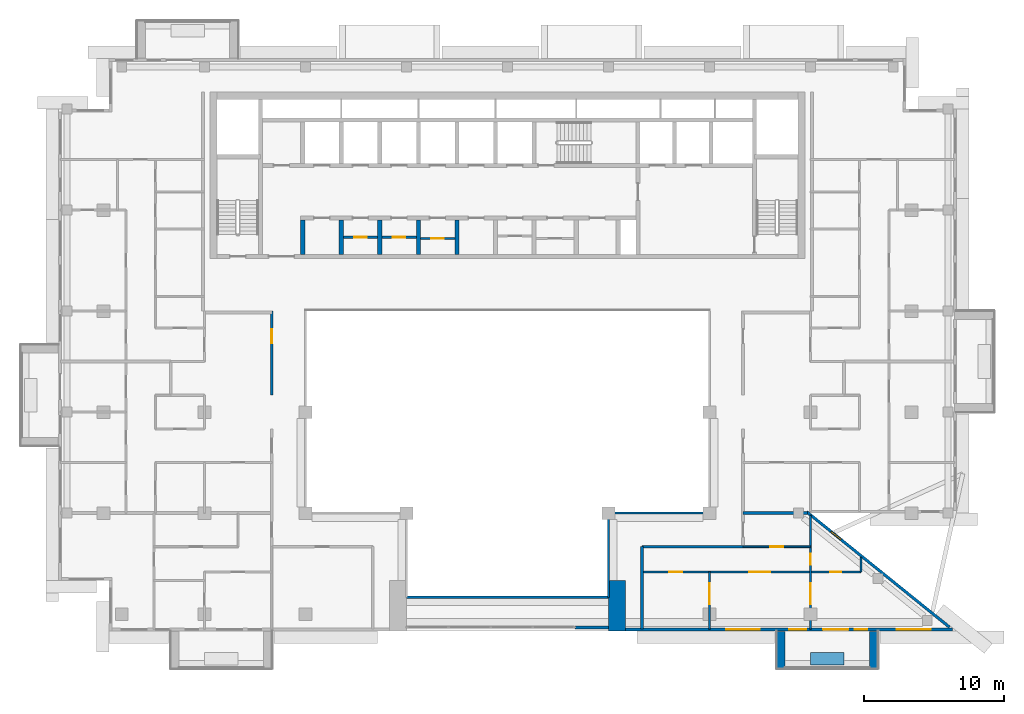
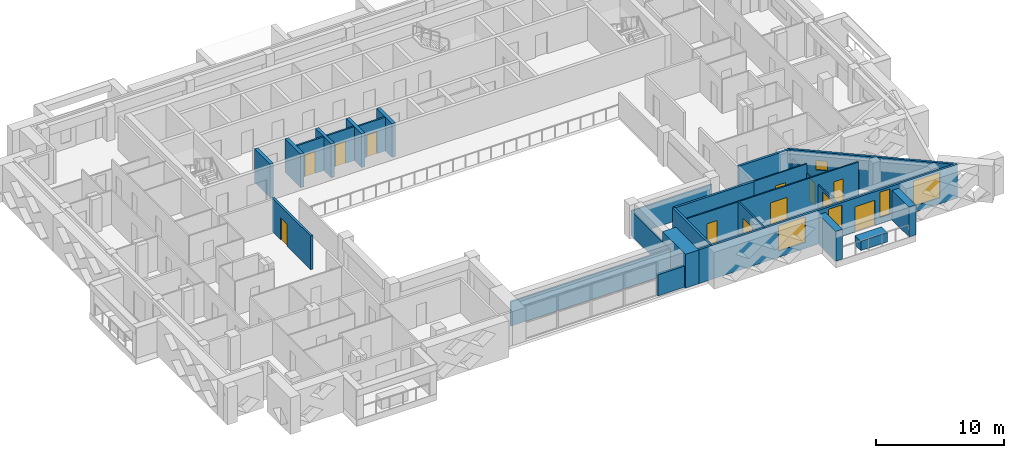
# One storey, part 8 of 19: 27 walls, 12 doors, 5 windows, 17 openings.
"""IFC4 building model written with IfcOpenShell, lengths in metres."""

from ifc_helpers import new_model, si_unit, direction, frame, frame_2d, origin, place, context, subcontext, project, spatial, rectangle, extrude, material, layer, layer_set, type_object, element, fill, save


model = new_model("IFC4")

# Units and contexts
model_context = context("Model", 3, precision=1e-05, world=origin(), true_north=direction((0.0, 1.0)))
body_context = subcontext(model_context, "Body", "Model", "MODEL_VIEW")
ifc_project = project(units=[si_unit("LENGTHUNIT", "METRE"), si_unit("AREAUNIT", "SQUARE_METRE"), si_unit("VOLUMEUNIT", "CUBIC_METRE"), si_unit("PLANEANGLEUNIT", "RADIAN"), si_unit("MASSUNIT", "GRAM", prefix="KILO")], contexts=[model_context])

# Site, building, storey
site_placement = place(None, origin())
site = spatial("IfcSite", under=ifc_project, at=site_placement, CompositionType="ELEMENT")
building_placement = place(site_placement, origin())
building = spatial("IfcBuilding", under=site, at=building_placement, Name="Saffron Iwan Residences", CompositionType="ELEMENT")
storey_placement = place(building_placement, frame((0.0, 0.0, 218.5)))
storey = spatial("IfcBuildingStorey", under=building, at=storey_placement, Name="L58", CompositionType="ELEMENT", Elevation=218.5)

# Walls
ifc_material_1 = material(Name="Fire-rated glazing", Category="glass")
ifc_layer_1 = layer(ifc_material_1, 0.14990234375)
ifc_layer_set_1 = layer_set([ifc_layer_1], Name="Fire-rated glazing")
wall_type_1 = type_object("IfcWallType", Name="Atrium glazed screen 150", PredefinedType="SOLIDWALL", material=ifc_layer_set_1)
wall_1_placement = place(storey_placement, frame((43.199951171875, 42.0, 0.0), z_axis=(0.0, 0.0, 1.0), x_axis=(1.0, 0.0, 0.0)))
element("IfcWall", 1, at=wall_1_placement, inside=storey, type_object=wall_type_1, Name="W-L58-SCREEN-h42-43.2", PredefinedType="SOLIDWALL", context=body_context, shape_type="SweptSolid", body=[
    extrude(rectangle(XDim=14.400146484375, YDim=0.14990234375, at=frame_2d((7.2001953125, 0.0))), origin(), (0.0, 0.0, 1.0), 2.320068359375),
])
wall_2_placement = place(storey_placement, frame((57.60009765625, 48.0, 0.0), z_axis=(0.0, 0.0, 1.0), x_axis=(1.0, 0.0, 0.0)))
element("IfcWall", 2, at=wall_2_placement, inside=storey, type_object=wall_type_1, Name="W-L58-SCREEN-h48-57.6", PredefinedType="SOLIDWALL", context=body_context, shape_type="SweptSolid", body=[
    extrude(rectangle(XDim=7.199951171875, YDim=0.14990234375, at=frame_2d((3.60009765625, 0.0))), origin(), (0.0, 0.0, 1.0), 2.320068359375),
])
wall_3_placement = place(storey_placement, frame((57.60009765625, 42.0, 0.0), z_axis=(0.0, 0.0, 1.0), x_axis=(0.0, 1.0, 0.0)))
element("IfcWall", 3, at=wall_3_placement, inside=storey, type_object=wall_type_1, Name="W-L58-SCREEN-v57.6-42", PredefinedType="SOLIDWALL", context=body_context, shape_type="SweptSolid", body=[
    extrude(rectangle(XDim=6.0, YDim=0.14990234375, at=frame_2d((3.0, 0.0))), origin(), (0.0, 0.0, 1.0), 2.320068359375),
])
ifc_material_2 = material(Name="Concrete C50/60 white painted", Category="concrete")
ifc_layer_2 = layer(ifc_material_2, 0.60009765625)
ifc_layer_set_2 = layer_set([ifc_layer_2], Name="Concrete C50/60 white painted")
wall_type_2 = type_object("IfcWallType", Name="BALCONY FIN 600", PredefinedType="SOLIDWALL", material=ifc_layer_set_2)
for number, where, z_axis, x_axis, name in (
    (4, (69.89990234375, 39.550048828125, 0.0), (0.0, 0.0, 1.0), (0.0, -1.0, 0.0), "Balcony fin L58 11-1a"),
    (5, (76.5, 39.550048828125, 0.0), (0.0, 0.0, 1.0), (0.0, -1.0, 0.0), "Balcony fin L58 11-1b"),
):
    element("IfcWall", number, at=place(storey_placement, frame(where, z_axis=z_axis, x_axis=x_axis)), inside=storey, type_object=wall_type_2, Name=name, PredefinedType="SOLIDWALL", context=body_context, shape_type="SweptSolid", body=[
        extrude(rectangle(XDim=2.650146484375, YDim=0.60009765625, at=frame_2d((1.3251953125, 0.0))), origin(), (0.0, 0.0, 1.0), 2.85009765625),
    ])
ifc_material_3 = material(Name="Concrete C35/45 white painted", Category="concrete")
ifc_layer_3 = layer(ifc_material_3, 0.14990234375)
ifc_layer_set_3 = layer_set([ifc_layer_3], Name="Concrete C35/45 white painted")
wall_type_3 = type_object("IfcWallType", Name="BALCONY PLANTER", PredefinedType="SOLIDWALL", material=ifc_layer_set_3)
wall_4_placement = place(storey_placement, frame((72.0, 37.625, 0.0), z_axis=(0.0, 0.0, 1.0), x_axis=(1.0, 0.0, 0.0)))
element("IfcWall", 6, at=wall_4_placement, inside=storey, type_object=wall_type_3, Name="PLANTER L58 11-1", PredefinedType="SOLIDWALL", context=body_context, shape_type="SweptSolid", body=[
    extrude(rectangle(XDim=2.39990234375, YDim=0.89990234375, at=frame_2d((1.199951171875, 0.0))), origin(), (0.0, 0.0, 1.0), 0.89990234375),
])

# Wall, opening, door
ifc_material_4 = material(Name="Fire-rated plasterboard partition")
ifc_layer_4 = layer(ifc_material_4, 0.14990234375)
ifc_layer_set_4 = layer_set([ifc_layer_4], Name="Fire-rated plasterboard partition")
wall_type_4 = type_object("IfcWallType", Name="Core partition 150", PredefinedType="PARTITIONING", material=ifc_layer_set_4)
wall_5_placement = place(storey_placement, frame((38.699951171875, 67.66259765625, 0.0), z_axis=(0.0, 0.0, 1.0), x_axis=(1.0, 0.0, 0.0)))
wall_5 = element("IfcWall", 7, at=wall_5_placement, inside=storey, type_object=wall_type_4, Name="Core partition P01", PredefinedType="PARTITIONING", context=body_context, shape_type="SweptSolid", body=[
    extrude(rectangle(XDim=2.449951171875, YDim=0.14990234375, at=frame_2d((1.22509765625, 0.0))), origin(), (0.0, 0.0, 1.0), 3.219970703125),
])
opening_1_placement = place(wall_5_placement, frame((0.77490234375, 0.0, 0.0)))
opening_1 = element("IfcOpeningElement", 8, at=opening_1_placement, cuts=wall_5, Name="Opening SB", PredefinedType="OPENING", context=body_context, shape_type="SweptSolid", body=[
    extrude(rectangle(XDim=0.89990234375, YDim=2.10009765625, at=frame_2d((0.449951171875, 1.050048828125))), frame((0.0, 0.0849609375, 0.0), z_axis=(0.0, -1.0, 0.0), x_axis=(1.0, 0.0, 0.0)), (0.0, 0.0, 1.0), 0.169921875),
])
ifc_material_5 = material(Name="Steel fire door", Category="steel")
door_type_1 = type_object("IfcDoorType", Name="Store door 900", OperationType="NOTDEFINED", PredefinedType="DOOR", material=ifc_material_5)
door_1_placement = place(opening_1_placement, origin())
door_1 = element("IfcDoor", 9, at=door_1_placement, inside=storey, type_object=door_type_1, Name="Door Records store", OperationType="SINGLE_SWING_LEFT", OverallHeight=2.10009765625, OverallWidth=0.89990234375, PredefinedType="DOOR", context=body_context, shape_type="SweptSolid", body=[
    extrude(rectangle(XDim=0.89990234375, YDim=2.10009765625, at=frame_2d((0.449951171875, 1.050048828125))), frame((0.0, 0.02490234375, 0.0), z_axis=(0.0, -1.0, 0.0), x_axis=(1.0, 0.0, 0.0)), (0.0, 0.0, 1.0), 0.050048828125),
])
fill(opening_1, door_1)

wall_6_placement = place(storey_placement, frame((41.449951171875, 67.66259765625, 0.0), z_axis=(0.0, 0.0, 1.0), x_axis=(1.0, 0.0, 0.0)))
wall_6 = element("IfcWall", 10, at=wall_6_placement, inside=storey, type_object=wall_type_4, Name="Core partition P02", PredefinedType="PARTITIONING", context=body_context, shape_type="SweptSolid", body=[
    extrude(rectangle(XDim=2.449951171875, YDim=0.14990234375, at=frame_2d((1.22509765625, 0.0))), origin(), (0.0, 0.0, 1.0), 3.219970703125),
])
opening_2_placement = place(wall_6_placement, frame((0.77490234375, 0.0, 0.0)))
opening_2 = element("IfcOpeningElement", 11, at=opening_2_placement, cuts=wall_6, Name="Opening SB", PredefinedType="OPENING", context=body_context, shape_type="SweptSolid", body=[
    extrude(rectangle(XDim=0.89990234375, YDim=2.10009765625, at=frame_2d((0.449951171875, 1.050048828125))), frame((0.0, 0.0849609375, 0.0), z_axis=(0.0, -1.0, 0.0), x_axis=(1.0, 0.0, 0.0)), (0.0, 0.0, 1.0), 0.169921875),
])
door_2_placement = place(opening_2_placement, origin())
door_2 = element("IfcDoor", 12, at=door_2_placement, inside=storey, type_object=door_type_1, Name="Door Stationery store", OperationType="SINGLE_SWING_RIGHT", OverallHeight=2.10009765625, OverallWidth=0.89990234375, PredefinedType="DOOR", context=body_context, shape_type="SweptSolid", body=[
    extrude(rectangle(XDim=0.89990234375, YDim=2.10009765625, at=frame_2d((0.449951171875, 1.050048828125))), frame((0.0, 0.02490234375, 0.0), z_axis=(0.0, -1.0, 0.0), x_axis=(1.0, 0.0, 0.0)), (0.0, 0.0, 1.0), 0.050048828125),
])
fill(opening_2, door_2)

wall_7_placement = place(storey_placement, frame((44.199951171875, 67.5654296875, 0.0), z_axis=(0.0, 0.0, 1.0), x_axis=(1.0, 0.0, 0.0)))
wall_7 = element("IfcWall", 13, at=wall_7_placement, inside=storey, type_object=wall_type_4, Name="Core partition P03", PredefinedType="PARTITIONING", context=body_context, shape_type="SweptSolid", body=[
    extrude(rectangle(XDim=2.449951171875, YDim=0.14990234375, at=frame_2d((1.22509765625, 0.0))), origin(), (0.0, 0.0, 1.0), 3.219970703125),
])
opening_3_placement = place(wall_7_placement, frame((0.77490234375, 0.0, 0.0)))
opening_3 = element("IfcOpeningElement", 14, at=opening_3_placement, cuts=wall_7, Name="Opening SB", PredefinedType="OPENING", context=body_context, shape_type="SweptSolid", body=[
    extrude(rectangle(XDim=0.89990234375, YDim=2.10009765625, at=frame_2d((0.449951171875, 1.050048828125))), frame((0.0, 0.0849609375, 0.0), z_axis=(0.0, -1.0, 0.0), x_axis=(1.0, 0.0, 0.0)), (0.0, 0.0, 1.0), 0.169921875),
])
door_3_placement = place(opening_3_placement, origin())
door_3 = element("IfcDoor", 15, at=door_3_placement, inside=storey, type_object=door_type_1, Name="Door Tool store", OperationType="SINGLE_SWING_LEFT", OverallHeight=2.10009765625, OverallWidth=0.89990234375, PredefinedType="DOOR", context=body_context, shape_type="SweptSolid", body=[
    extrude(rectangle(XDim=0.89990234375, YDim=2.10009765625, at=frame_2d((0.449951171875, 1.050048828125))), frame((0.0, 0.02490234375, 0.0), z_axis=(0.0, -1.0, 0.0), x_axis=(1.0, 0.0, 0.0)), (0.0, 0.0, 1.0), 0.050048828125),
])
fill(opening_3, door_3)

# Wall, opening, window
ifc_material_6 = material(Name="Concrete C40/50", Category="concrete")
ifc_layer_5 = layer(ifc_material_6, 0.199951171875)
ifc_layer_set_5 = layer_set([ifc_layer_5], Name="Concrete C40/50")
wall_type_5 = type_object("IfcWallType", Name="EXTERNAL WALL 200", PredefinedType="SOLIDWALL", material=ifc_layer_set_5)
wall_8_placement = place(storey_placement, frame((81.906982421875, 39.86962890625, 0.0), z_axis=(0.0, 0.0, 1.0), x_axis=(-0.777936274417, 0.62834318087, 0.0)))
wall_8 = element("IfcWall", 16, at=wall_8_placement, inside=storey, type_object=wall_type_5, Name="External wall L58 F0.0", PredefinedType="SOLIDWALL", context=body_context, shape_type="SweptSolid", body=[
    extrude(rectangle(XDim=13.0986328125, YDim=0.199951171875, at=frame_2d((6.54931640625, 0.0))), origin(), (0.0, 0.0, 1.0), 3.219970703125),
])
opening_4_placement = place(wall_8_placement, frame((9.9384765625, 0.0, 1.5)))
opening_4 = element("IfcOpeningElement", 17, at=opening_4_placement, cuts=wall_8, Name="Opening W6", PredefinedType="OPENING", context=body_context, shape_type="SweptSolid", body=[
    extrude(rectangle(XDim=0.89990234375, YDim=0.89990234375, at=frame_2d((0.449951171875, 0.449951171875))), frame((0.0, 0.10986328125, 0.0), z_axis=(0.0, -1.0, 0.0), x_axis=(1.0, 0.0, 0.0)), (0.0, 0.0, 1.0), 0.219970703125),
])
ifc_material_7 = material(Name="Clear glass, laminated double glazed", Category="glass")
window_type_1 = type_object("IfcWindowType", Name="WINDOW 900 x 900 BATH", PartitioningType="SINGLE_PANEL", PredefinedType="WINDOW", material=ifc_material_7)
window_1_placement = place(opening_4_placement, origin())
window_1 = element("IfcWindow", 18, at=window_1_placement, inside=storey, type_object=window_type_1, Name="Window L58 F0.0", OverallHeight=0.89990234375, OverallWidth=0.89990234375, PartitioningType="SINGLE_PANEL", PredefinedType="WINDOW", context=body_context, shape_type="SweptSolid", body=[
    extrude(rectangle(XDim=0.89990234375, YDim=0.89990234375, at=frame_2d((0.449951171875, 0.449951171875))), frame((0.0, 0.030029296875, 0.0), z_axis=(0.0, -1.0, 0.0), x_axis=(1.0, 0.0, 0.0)), (0.0, 0.0, 1.0), 0.06005859375),
])
fill(opening_4, window_1)

# Wall, openings, door, windows
wall_9_placement = place(storey_placement, frame((58.800048828125, 39.699951171875, 0.0), z_axis=(0.0, 0.0, 1.0), x_axis=(1.0, 0.0, 0.0)))
wall_9 = element("IfcWall", 19, at=wall_9_placement, inside=storey, type_object=wall_type_5, Name="External wall L58 F11.1", PredefinedType="SOLIDWALL", context=body_context, shape_type="SweptSolid", body=[
    extrude(rectangle(XDim=23.31689453125, YDim=0.199951171875, at=frame_2d((11.658447265625, 0.0))), origin(), (0.0, 0.0, 1.0), 3.219970703125),
])
opening_5_placement = place(wall_9_placement, frame((14.10009765625, 0.0, 0.0)))
opening_5 = element("IfcOpeningElement", 20, at=opening_5_placement, cuts=wall_9, Name="Opening BD1", PredefinedType="OPENING", context=body_context, shape_type="SweptSolid", body=[
    extrude(rectangle(XDim=1.800048828125, YDim=2.39990234375, at=frame_2d((0.89990234375, 1.199951171875))), frame((0.0, 0.10986328125, 0.0), z_axis=(0.0, -1.0, 0.0), x_axis=(1.0, 0.0, 0.0)), (0.0, 0.0, 1.0), 0.219970703125),
])
opening_6_placement = place(wall_9_placement, frame((7.199951171875, 0.0, 0.60009765625)))
opening_6 = element("IfcOpeningElement", 21, at=opening_6_placement, cuts=wall_9, Name="Opening W1", PredefinedType="OPENING", context=body_context, shape_type="SweptSolid", body=[
    extrude(rectangle(XDim=2.39990234375, YDim=2.39990234375, at=frame_2d((1.199951171875, 1.199951171875))), frame((0.0, 0.10986328125, 0.0), z_axis=(0.0, -1.0, 0.0), x_axis=(1.0, 0.0, 0.0)), (0.0, 0.0, 1.0), 0.219970703125),
])
opening_7_placement = place(wall_9_placement, frame((11.699951171875, 0.0, 0.60009765625)))
opening_7 = element("IfcOpeningElement", 22, at=opening_7_placement, cuts=wall_9, Name="Opening W3", PredefinedType="OPENING", context=body_context, shape_type="SweptSolid", body=[
    extrude(rectangle(XDim=1.199951171875, YDim=2.39990234375, at=frame_2d((0.60009765625, 1.199951171875))), frame((0.0, 0.10986328125, 0.0), z_axis=(0.0, -1.0, 0.0), x_axis=(1.0, 0.0, 0.0)), (0.0, 0.0, 1.0), 0.219970703125),
])
opening_8_placement = place(wall_9_placement, frame((16.35009765625, 0.0, 0.60009765625)))
opening_8 = element("IfcOpeningElement", 23, at=opening_8_placement, cuts=wall_9, Name="Opening W10", PredefinedType="OPENING", context=body_context, shape_type="SweptSolid", body=[
    extrude(rectangle(XDim=0.89990234375, YDim=2.39990234375, at=frame_2d((0.449951171875, 1.199951171875))), frame((0.0, 0.10986328125, 0.0), z_axis=(0.0, -1.0, 0.0), x_axis=(1.0, 0.0, 0.0)), (0.0, 0.0, 1.0), 0.219970703125),
])
opening_9_placement = place(wall_9_placement, frame((19.3583984375, 0.0, 0.60009765625)))
opening_9 = element("IfcOpeningElement", 24, at=opening_9_placement, cuts=wall_9, Name="Opening W1", PredefinedType="OPENING", context=body_context, shape_type="SweptSolid", body=[
    extrude(rectangle(XDim=2.39990234375, YDim=2.39990234375, at=frame_2d((1.199951171875, 1.199951171875))), frame((0.0, 0.10986328125, 0.0), z_axis=(0.0, -1.0, 0.0), x_axis=(1.0, 0.0, 0.0)), (0.0, 0.0, 1.0), 0.219970703125),
])
door_type_2 = type_object("IfcDoorType", Name="BALCONY DOOR 1800 x 2400", OperationType="DOUBLE_DOOR_SLIDING", PredefinedType="DOOR", material=ifc_material_7)
door_4_placement = place(opening_5_placement, origin())
door_4 = element("IfcDoor", 25, at=door_4_placement, inside=storey, type_object=door_type_2, Name="Balcony door L58 F11.0", OperationType="DOUBLE_DOOR_SLIDING", OverallHeight=2.39990234375, OverallWidth=1.800048828125, PredefinedType="DOOR", context=body_context, shape_type="SweptSolid", body=[
    extrude(rectangle(XDim=1.800048828125, YDim=2.39990234375, at=frame_2d((0.89990234375, 1.199951171875))), frame((0.0, 0.02490234375, 0.0), z_axis=(0.0, -1.0, 0.0), x_axis=(1.0, 0.0, 0.0)), (0.0, 0.0, 1.0), 0.050048828125),
])
fill(opening_5, door_4)
window_type_2 = type_object("IfcWindowType", Name="WINDOW 1200 x 2400", PartitioningType="SINGLE_PANEL", PredefinedType="WINDOW", material=ifc_material_7)
window_2_placement = place(opening_7_placement, origin())
window_2 = element("IfcWindow", 26, at=window_2_placement, inside=storey, type_object=window_type_2, Name="Window L58 F11.2", OverallHeight=2.39990234375, OverallWidth=1.199951171875, PartitioningType="SINGLE_PANEL", PredefinedType="WINDOW", context=body_context, shape_type="SweptSolid", body=[
    extrude(rectangle(XDim=1.199951171875, YDim=2.39990234375, at=frame_2d((0.60009765625, 1.199951171875))), frame((0.0, 0.030029296875, 0.0), z_axis=(0.0, -1.0, 0.0), x_axis=(1.0, 0.0, 0.0)), (0.0, 0.0, 1.0), 0.06005859375),
])
fill(opening_7, window_2)
window_type_3 = type_object("IfcWindowType", Name="WINDOW 2400 x 2400", PartitioningType="DOUBLE_PANEL_VERTICAL", PredefinedType="WINDOW", material=ifc_material_7)
window_3_placement = place(opening_6_placement, origin())
window_3 = element("IfcWindow", 27, at=window_3_placement, inside=storey, type_object=window_type_3, Name="Window L58 F11.1", OverallHeight=2.39990234375, OverallWidth=2.39990234375, PartitioningType="DOUBLE_PANEL_VERTICAL", PredefinedType="WINDOW", context=body_context, shape_type="SweptSolid", body=[
    extrude(rectangle(XDim=2.39990234375, YDim=2.39990234375, at=frame_2d((1.199951171875, 1.199951171875))), frame((0.0, 0.030029296875, 0.0), z_axis=(0.0, -1.0, 0.0), x_axis=(1.0, 0.0, 0.0)), (0.0, 0.0, 1.0), 0.06005859375),
])
fill(opening_6, window_3)
window_4_placement = place(opening_9_placement, origin())
window_4 = element("IfcWindow", 28, at=window_4_placement, inside=storey, type_object=window_type_3, Name="Window L58 F11.4", OverallHeight=2.39990234375, OverallWidth=2.39990234375, PartitioningType="DOUBLE_PANEL_VERTICAL", PredefinedType="WINDOW", context=body_context, shape_type="SweptSolid", body=[
    extrude(rectangle(XDim=2.39990234375, YDim=2.39990234375, at=frame_2d((1.199951171875, 1.199951171875))), frame((0.0, 0.030029296875, 0.0), z_axis=(0.0, -1.0, 0.0), x_axis=(1.0, 0.0, 0.0)), (0.0, 0.0, 1.0), 0.06005859375),
])
fill(opening_9, window_4)
window_type_4 = type_object("IfcWindowType", Name="WINDOW 900 x 2400", PartitioningType="SINGLE_PANEL", PredefinedType="WINDOW", material=ifc_material_7)
window_5_placement = place(opening_8_placement, origin())
window_5 = element("IfcWindow", 29, at=window_5_placement, inside=storey, type_object=window_type_4, Name="Window L58 F11.3", OverallHeight=2.39990234375, OverallWidth=0.89990234375, PartitioningType="SINGLE_PANEL", PredefinedType="WINDOW", context=body_context, shape_type="SweptSolid", body=[
    extrude(rectangle(XDim=0.89990234375, YDim=2.39990234375, at=frame_2d((0.449951171875, 1.199951171875))), frame((0.0, 0.030029296875, 0.0), z_axis=(0.0, -1.0, 0.0), x_axis=(1.0, 0.0, 0.0)), (0.0, 0.0, 1.0), 0.06005859375),
])
fill(opening_8, window_5)

# Walls
wall_10_placement = place(storey_placement, frame((55.199951171875, 39.85009765625, 0.0), z_axis=(0.0, 0.0, 1.0), x_axis=(1.0, 0.0, 0.0)))
element("IfcWall", 30, at=wall_10_placement, inside=storey, type_object=wall_type_5, Name="External wall infill CWB-L58-0", PredefinedType="SOLIDWALL", context=body_context, shape_type="SweptSolid", body=[
    extrude(rectangle(XDim=2.400146484375, YDim=0.199951171875, at=frame_2d((1.2001953125, 0.0))), origin(), (0.0, 0.0, 1.0), 2.02001953125),
])
ifc_material_8 = material(Name="Fire-rated gypsum board wall")
ifc_layer_6 = layer(ifc_material_8, 0.199951171875)
ifc_layer_set_6 = layer_set([ifc_layer_6], Name="Fire-rated gypsum board wall")
wall_type_6 = type_object("IfcWallType", Name="Flat demising wall 200", PredefinedType="SOLIDWALL", material=ifc_layer_set_6)
wall_11_placement = place(storey_placement, frame((67.199951171875, 48.0, 0.0), z_axis=(0.0, 0.0, 1.0), x_axis=(1.0, 0.0, 0.0)))
element("IfcWall", 31, at=wall_11_placement, inside=storey, type_object=wall_type_6, Name="W-L58-DEMISE-h48-67.2", PredefinedType="SOLIDWALL", context=body_context, shape_type="SweptSolid", body=[
    extrude(rectangle(XDim=4.60107421875, YDim=0.199951171875, at=frame_2d((2.300537109375, 0.0))), origin(), (0.0, 0.0, 1.0), 3.219970703125),
])

# Wall, openings, doors
ifc_material_9 = material(Name="Gypsum board partition")
ifc_layer_7 = layer(ifc_material_9, 0.1201171875)
ifc_layer_set_7 = layer_set([ifc_layer_7], Name="Gypsum board partition")
wall_type_7 = type_object("IfcWallType", Name="Flat partition 120", PredefinedType="PARTITIONING", material=ifc_layer_set_7)
wall_12_placement = place(storey_placement, frame((60.0, 43.800048828125, 0.0), z_axis=(0.0, 0.0, 1.0), x_axis=(1.0, 0.0, 0.0)))
wall_12 = element("IfcWall", 32, at=wall_12_placement, inside=storey, type_object=wall_type_7, Name="W-L58-PART-h43.8-60", PredefinedType="PARTITIONING", context=body_context, shape_type="SweptSolid", body=[
    extrude(rectangle(XDim=15.60009765625, YDim=0.1201171875, at=frame_2d((7.800048828125, 0.0))), origin(), (0.0, 0.0, 1.0), 3.219970703125),
])
opening_10_placement = place(wall_12_placement, frame((7.64990234375, 0.0, 0.0)))
opening_10 = element("IfcOpeningElement", 33, at=opening_10_placement, cuts=wall_12, Name="Opening FD4", PredefinedType="OPENING", context=body_context, shape_type="SweptSolid", body=[
    extrude(rectangle(XDim=1.5, YDim=2.10009765625, at=frame_2d((0.75, 1.050048828125))), frame((0.0, 0.070068359375, 0.0), z_axis=(0.0, -1.0, 0.0), x_axis=(1.0, 0.0, 0.0)), (0.0, 0.0, 1.0), 0.14013671875),
])
opening_11_placement = place(wall_12_placement, frame((1.949951171875, 0.0, 0.0)))
opening_11 = element("IfcOpeningElement", 34, at=opening_11_placement, cuts=wall_12, Name="Opening FD2", PredefinedType="OPENING", context=body_context, shape_type="SweptSolid", body=[
    extrude(rectangle(XDim=0.89990234375, YDim=2.10009765625, at=frame_2d((0.449951171875, 1.050048828125))), frame((0.0, 0.070068359375, 0.0), z_axis=(0.0, -1.0, 0.0), x_axis=(1.0, 0.0, 0.0)), (0.0, 0.0, 1.0), 0.14013671875),
])
opening_12_placement = place(wall_12_placement, frame((13.39990234375, 0.0, 0.0)))
opening_12 = element("IfcOpeningElement", 35, at=opening_12_placement, cuts=wall_12, Name="Opening FD3", PredefinedType="OPENING", context=body_context, shape_type="SweptSolid", body=[
    extrude(rectangle(XDim=0.800048828125, YDim=2.10009765625, at=frame_2d((0.39990234375, 1.050048828125))), frame((0.0, 0.070068359375, 0.0), z_axis=(0.0, -1.0, 0.0), x_axis=(1.0, 0.0, 0.0)), (0.0, 0.0, 1.0), 0.14013671875),
])
ifc_material_10 = material(Name="Timber door", Category="wood")
door_type_3 = type_object("IfcDoorType", Name="Bathroom door 800", OperationType="NOTDEFINED", PredefinedType="DOOR", material=ifc_material_10)
door_5_placement = place(opening_12_placement, origin())
door_5 = element("IfcDoor", 36, at=door_5_placement, inside=storey, type_object=door_type_3, Name="Door L58-047", OperationType="SINGLE_SWING_LEFT", OverallHeight=2.10009765625, OverallWidth=0.800048828125, PredefinedType="DOOR", context=body_context, shape_type="SweptSolid", body=[
    extrude(rectangle(XDim=0.800048828125, YDim=2.10009765625, at=frame_2d((0.39990234375, 1.050048828125))), frame((0.0, 0.02490234375, 0.0), z_axis=(0.0, -1.0, 0.0), x_axis=(1.0, 0.0, 0.0)), (0.0, 0.0, 1.0), 0.050048828125),
])
fill(opening_12, door_5)
door_type_4 = type_object("IfcDoorType", Name="Double door 1500", OperationType="NOTDEFINED", PredefinedType="DOOR", material=ifc_material_10)
door_6_placement = place(opening_10_placement, origin())
door_6 = element("IfcDoor", 37, at=door_6_placement, inside=storey, type_object=door_type_4, Name="Door L58-043", OperationType="SINGLE_SWING_LEFT", OverallHeight=2.10009765625, OverallWidth=1.5, PredefinedType="DOOR", context=body_context, shape_type="SweptSolid", body=[
    extrude(rectangle(XDim=1.5, YDim=2.10009765625, at=frame_2d((0.75, 1.050048828125))), frame((0.0, 0.02490234375, 0.0), z_axis=(0.0, -1.0, 0.0), x_axis=(1.0, 0.0, 0.0)), (0.0, 0.0, 1.0), 0.050048828125),
])
fill(opening_10, door_6)
door_type_5 = type_object("IfcDoorType", Name="Flat door 900", OperationType="NOTDEFINED", PredefinedType="DOOR", material=ifc_material_10)
door_7_placement = place(opening_11_placement, origin())
door_7 = element("IfcDoor", 38, at=door_7_placement, inside=storey, type_object=door_type_5, Name="Door L58-044", OperationType="SINGLE_SWING_LEFT", OverallHeight=2.10009765625, OverallWidth=0.89990234375, PredefinedType="DOOR", context=body_context, shape_type="SweptSolid", body=[
    extrude(rectangle(XDim=0.89990234375, YDim=2.10009765625, at=frame_2d((0.449951171875, 1.050048828125))), frame((0.0, 0.02490234375, 0.0), z_axis=(0.0, -1.0, 0.0), x_axis=(1.0, 0.0, 0.0)), (0.0, 0.0, 1.0), 0.050048828125),
])
fill(opening_11, door_7)

# Wall, opening, door
wall_13_placement = place(storey_placement, frame((67.199951171875, 45.60009765625, 0.0), z_axis=(0.0, 0.0, 1.0), x_axis=(1.0, 0.0, 0.0)))
wall_13 = element("IfcWall", 39, at=wall_13_placement, inside=storey, type_object=wall_type_7, Name="W-L58-PART-h45.6-67.2", PredefinedType="PARTITIONING", context=body_context, shape_type="SweptSolid", body=[
    extrude(rectangle(XDim=4.800048828125, YDim=0.1201171875, at=frame_2d((2.39990234375, 0.0))), origin(), (0.0, 0.0, 1.0), 3.219970703125),
])
opening_13_placement = place(wall_13_placement, frame((1.949951171875, 0.0, 0.0)))
opening_13 = element("IfcOpeningElement", 40, at=opening_13_placement, cuts=wall_13, Name="Opening FD2", PredefinedType="OPENING", context=body_context, shape_type="SweptSolid", body=[
    extrude(rectangle(XDim=0.89990234375, YDim=2.10009765625, at=frame_2d((0.449951171875, 1.050048828125))), frame((0.0, 0.070068359375, 0.0), z_axis=(0.0, -1.0, 0.0), x_axis=(1.0, 0.0, 0.0)), (0.0, 0.0, 1.0), 0.14013671875),
])
door_8_placement = place(opening_13_placement, origin())
door_8 = element("IfcDoor", 41, at=door_8_placement, inside=storey, type_object=door_type_5, Name="Door L58-041", OperationType="SINGLE_SWING_LEFT", OverallHeight=2.10009765625, OverallWidth=0.89990234375, PredefinedType="DOOR", context=body_context, shape_type="SweptSolid", body=[
    extrude(rectangle(XDim=0.89990234375, YDim=2.10009765625, at=frame_2d((0.449951171875, 1.050048828125))), frame((0.0, 0.02490234375, 0.0), z_axis=(0.0, -1.0, 0.0), x_axis=(1.0, 0.0, 0.0)), (0.0, 0.0, 1.0), 0.050048828125),
])
fill(opening_13, door_8)

wall_14_placement = place(storey_placement, frame((64.800048828125, 39.72509765625, 0.0), z_axis=(0.0, 0.0, 1.0), x_axis=(0.0, 1.0, 0.0)))
wall_14 = element("IfcWall", 42, at=wall_14_placement, inside=storey, type_object=wall_type_7, Name="W-L58-PART-v64.8-39.725", PredefinedType="PARTITIONING", context=body_context, shape_type="SweptSolid", body=[
    extrude(rectangle(XDim=4.074951171875, YDim=0.1201171875, at=frame_2d((2.03759765625, 0.0))), origin(), (0.0, 0.0, 1.0), 3.219970703125),
])
opening_14_placement = place(wall_14_placement, frame((1.78759765625, 0.0, 0.0)))
opening_14 = element("IfcOpeningElement", 43, at=opening_14_placement, cuts=wall_14, Name="Opening FD4", PredefinedType="OPENING", context=body_context, shape_type="SweptSolid", body=[
    extrude(rectangle(XDim=1.5, YDim=2.10009765625, at=frame_2d((0.75, 1.050048828125))), frame((0.0, 0.070068359375, 0.0), z_axis=(0.0, -1.0, 0.0), x_axis=(1.0, 0.0, 0.0)), (0.0, 0.0, 1.0), 0.14013671875),
])
door_9_placement = place(opening_14_placement, origin())
door_9 = element("IfcDoor", 44, at=door_9_placement, inside=storey, type_object=door_type_4, Name="Door L58-040", OperationType="SINGLE_SWING_RIGHT", OverallHeight=2.10009765625, OverallWidth=1.5, PredefinedType="DOOR", context=body_context, shape_type="SweptSolid", body=[
    extrude(rectangle(XDim=1.5, YDim=2.10009765625, at=frame_2d((0.75, 1.050048828125))), frame((0.0, 0.02490234375, 0.0), z_axis=(0.0, -1.0, 0.0), x_axis=(1.0, 0.0, 0.0)), (0.0, 0.0, 1.0), 0.050048828125),
])
fill(opening_14, door_9)

# Wall, openings, doors
wall_15_placement = place(storey_placement, frame((72.0, 39.72509765625, 0.0), z_axis=(0.0, 0.0, 1.0), x_axis=(0.0, 1.0, 0.0)))
wall_15 = element("IfcWall", 45, at=wall_15_placement, inside=storey, type_object=wall_type_7, Name="W-L58-PART-v72-39.725", PredefinedType="PARTITIONING", context=body_context, shape_type="SweptSolid", body=[
    extrude(rectangle(XDim=8.114013671875, YDim=0.1201171875, at=frame_2d((4.05712890625, 0.0))), origin(), (0.0, 0.0, 1.0), 2.320068359375),
])
opening_15_placement = place(wall_15_placement, frame((1.78759765625, 0.0, 0.0)))
opening_15 = element("IfcOpeningElement", 46, at=opening_15_placement, cuts=wall_15, Name="Opening FD4", PredefinedType="OPENING", context=body_context, shape_type="SweptSolid", body=[
    extrude(rectangle(XDim=1.5, YDim=2.10009765625, at=frame_2d((0.75, 1.050048828125))), frame((0.0, 0.070068359375, 0.0), z_axis=(0.0, -1.0, 0.0), x_axis=(1.0, 0.0, 0.0)), (0.0, 0.0, 1.0), 0.14013671875),
])
opening_16_placement = place(wall_15_placement, frame((4.574951171875, 0.0, 0.0)))
opening_16 = element("IfcOpeningElement", 47, at=opening_16_placement, cuts=wall_15, Name="Opening FD3", PredefinedType="OPENING", context=body_context, shape_type="SweptSolid", body=[
    extrude(rectangle(XDim=0.800048828125, YDim=2.10009765625, at=frame_2d((0.39990234375, 1.050048828125))), frame((0.0, 0.070068359375, 0.0), z_axis=(0.0, -1.0, 0.0), x_axis=(1.0, 0.0, 0.0)), (0.0, 0.0, 1.0), 0.14013671875),
])
door_10_placement = place(opening_16_placement, origin())
door_10 = element("IfcDoor", 48, at=door_10_placement, inside=storey, type_object=door_type_3, Name="Door L58-046", OperationType="SINGLE_SWING_LEFT", OverallHeight=2.10009765625, OverallWidth=0.800048828125, PredefinedType="DOOR", context=body_context, shape_type="SweptSolid", body=[
    extrude(rectangle(XDim=0.800048828125, YDim=2.10009765625, at=frame_2d((0.39990234375, 1.050048828125))), frame((0.0, 0.02490234375, 0.0), z_axis=(0.0, -1.0, 0.0), x_axis=(1.0, 0.0, 0.0)), (0.0, 0.0, 1.0), 0.050048828125),
])
fill(opening_16, door_10)
door_11_placement = place(opening_15_placement, origin())
door_11 = element("IfcDoor", 49, at=door_11_placement, inside=storey, type_object=door_type_4, Name="Door L58-045", OperationType="SINGLE_SWING_LEFT", OverallHeight=2.10009765625, OverallWidth=1.5, PredefinedType="DOOR", context=body_context, shape_type="SweptSolid", body=[
    extrude(rectangle(XDim=1.5, YDim=2.10009765625, at=frame_2d((0.75, 1.050048828125))), frame((0.0, 0.02490234375, 0.0), z_axis=(0.0, -1.0, 0.0), x_axis=(1.0, 0.0, 0.0)), (0.0, 0.0, 1.0), 0.050048828125),
])
fill(opening_15, door_11)

# Walls
wall_16_placement = place(storey_placement, frame((75.60009765625, 43.800048828125, 0.0), z_axis=(0.0, 0.0, 1.0), x_axis=(0.0, 1.0, 0.0)))
element("IfcWall", 50, at=wall_16_placement, inside=storey, type_object=wall_type_7, Name="W-L58-PART-v75.6-43.8", PredefinedType="PARTITIONING", context=body_context, shape_type="SweptSolid", body=[
    extrude(rectangle(XDim=1.03515625, YDim=0.1201171875, at=frame_2d((0.517578125, 0.0))), origin(), (0.0, 0.0, 1.0), 2.320068359375),
])
ifc_layer_8 = layer(ifc_material_8, 0.199951171875)
ifc_layer_set_8 = layer_set([ifc_layer_8], Name="Fire-rated gypsum board wall")
wall_type_8 = type_object("IfcWallType", Name="Gallery wall 200", PredefinedType="SOLIDWALL", material=ifc_layer_set_8)
wall_17_placement = place(storey_placement, frame((60.0, 45.60009765625, 0.0), z_axis=(0.0, 0.0, 1.0), x_axis=(1.0, 0.0, 0.0)))
element("IfcWall", 51, at=wall_17_placement, inside=storey, type_object=wall_type_8, Name="W-L58-CORR-h45.6-60", PredefinedType="SOLIDWALL", context=body_context, shape_type="SweptSolid", body=[
    extrude(rectangle(XDim=7.199951171875, YDim=0.199951171875, at=frame_2d((3.60009765625, 0.0))), origin(), (0.0, 0.0, 1.0), 3.219970703125),
])

# Wall, opening, door
wall_18_placement = place(storey_placement, frame((33.60009765625, 56.39990234375, 0.0), z_axis=(0.0, 0.0, 1.0), x_axis=(0.0, 1.0, 0.0)))
wall_18 = element("IfcWall", 52, at=wall_18_placement, inside=storey, type_object=wall_type_8, Name="W-L58-CORR-v33.6-56.4", PredefinedType="SOLIDWALL", context=body_context, shape_type="SweptSolid", body=[
    extrude(rectangle(XDim=6.0, YDim=0.199951171875, at=frame_2d((3.0, 0.0))), origin(), (0.0, 0.0, 1.0), 3.219970703125),
])
opening_17_placement = place(wall_18_placement, frame((3.699951171875, 0.0, 0.0)))
opening_17 = element("IfcOpeningElement", 53, at=opening_17_placement, cuts=wall_18, Name="Opening FD5", PredefinedType="OPENING", context=body_context, shape_type="SweptSolid", body=[
    extrude(rectangle(XDim=1.0, YDim=2.10009765625, at=frame_2d((0.5, 1.050048828125))), frame((0.0, 0.10986328125, 0.0), z_axis=(0.0, -1.0, 0.0), x_axis=(1.0, 0.0, 0.0)), (0.0, 0.0, 1.0), 0.219970703125),
])
ifc_material_11 = material(Name="Fire-rated timber door", Category="wood")
door_type_6 = type_object("IfcDoorType", Name="Lobby door 1000", OperationType="NOTDEFINED", PredefinedType="DOOR", material=ifc_material_11)
door_12_placement = place(opening_17_placement, origin())
door_12 = element("IfcDoor", 54, at=door_12_placement, inside=storey, type_object=door_type_6, Name="Door L58-021", OperationType="SINGLE_SWING_RIGHT", OverallHeight=2.10009765625, OverallWidth=1.0, PredefinedType="DOOR", context=body_context, shape_type="SweptSolid", body=[
    extrude(rectangle(XDim=1.0, YDim=2.10009765625, at=frame_2d((0.5, 1.050048828125))), frame((0.0, 0.02490234375, 0.0), z_axis=(0.0, -1.0, 0.0), x_axis=(1.0, 0.0, 0.0)), (0.0, 0.0, 1.0), 0.050048828125),
])
fill(opening_17, door_12)

# Walls
wall_19_placement = place(storey_placement, frame((60.0, 39.72509765625, 0.0), z_axis=(0.0, 0.0, 1.0), x_axis=(0.0, 1.0, 0.0)))
element("IfcWall", 55, at=wall_19_placement, inside=storey, type_object=wall_type_8, Name="W-L58-CORR-v60-39.725", PredefinedType="SOLIDWALL", context=body_context, shape_type="SweptSolid", body=[
    extrude(rectangle(XDim=5.875, YDim=0.199951171875, at=frame_2d((2.9375, 0.0))), origin(), (0.0, 0.0, 1.0), 3.219970703125),
])
ifc_layer_9 = layer(ifc_material_6, 0.300048828125)
ifc_layer_set_9 = layer_set([ifc_layer_9], Name="Concrete C40/50")
wall_type_9 = type_object("IfcWallType", Name="WALL CORE 300 C40/50 3220 HIGH", PredefinedType="SHEAR", material=ifc_layer_set_9)
for number, where, z_axis, x_axis, name in (
    (56, (35.800048828125, 66.449951171875, 0.0), (0.0, 0.0, 1.0), (0.0, 1.0, 0.0), "Core wall"),
    (57, (38.550048828125, 66.449951171875, 0.0), (0.0, 0.0, 1.0), (0.0, 1.0, 0.0), "Core wall"),
    (58, (41.300048828125, 66.449951171875, 0.0), (0.0, 0.0, 1.0), (0.0, 1.0, 0.0), "Core wall"),
    (59, (44.050048828125, 66.449951171875, 0.0), (0.0, 0.0, 1.0), (0.0, 1.0, 0.0), "Core wall"),
    (60, (46.800048828125, 66.449951171875, 0.0), (0.0, 0.0, 1.0), (0.0, 1.0, 0.0), "Core wall"),
):
    element("IfcWall", number, at=place(storey_placement, frame(where, z_axis=z_axis, x_axis=x_axis)), inside=storey, type_object=wall_type_9, Name=name, PredefinedType="SHEAR", context=body_context, shape_type="SweptSolid", body=[
        extrude(rectangle(XDim=2.425048828125, YDim=0.300048828125, at=frame_2d((1.21240234375, 0.0))), origin(), (0.0, 0.0, 1.0), 3.219970703125),
    ])
ifc_layer_10 = layer(ifc_material_6, 1.199951171875)
ifc_layer_set_10 = layer_set([ifc_layer_10], Name="Concrete C40/50")
wall_type_10 = type_object("IfcWallType", Name="WALL IWAN PIER 1200 C40/50 3220 HIGH", PredefinedType="SHEAR", material=ifc_layer_set_10)
wall_20_placement = place(storey_placement, frame((58.199951171875, 39.60009765625, 0.0), z_axis=(0.0, 0.0, 1.0), x_axis=(0.0, 1.0, 0.0)))
element("IfcWall", 61, at=wall_20_placement, inside=storey, type_object=wall_type_10, Name="IWAN PIER", PredefinedType="SHEAR", context=body_context, shape_type="SweptSolid", body=[
    extrude(rectangle(XDim=3.599853515625, YDim=1.199951171875, at=frame_2d((1.7998046875, 0.0))), origin(), (0.0, 0.0, 1.0), 3.219970703125),
])

save(model, "model.ifc")
